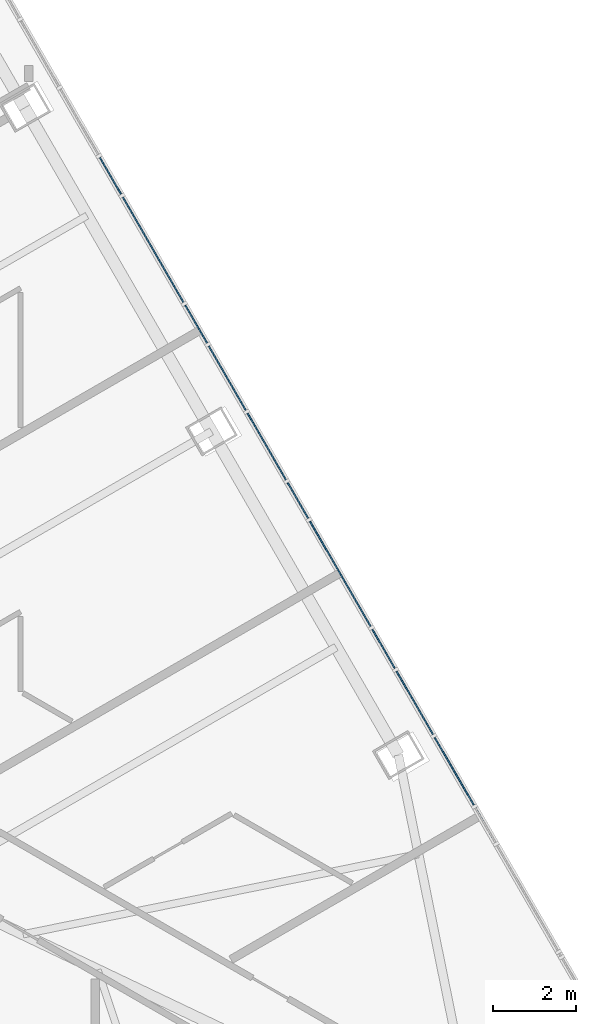
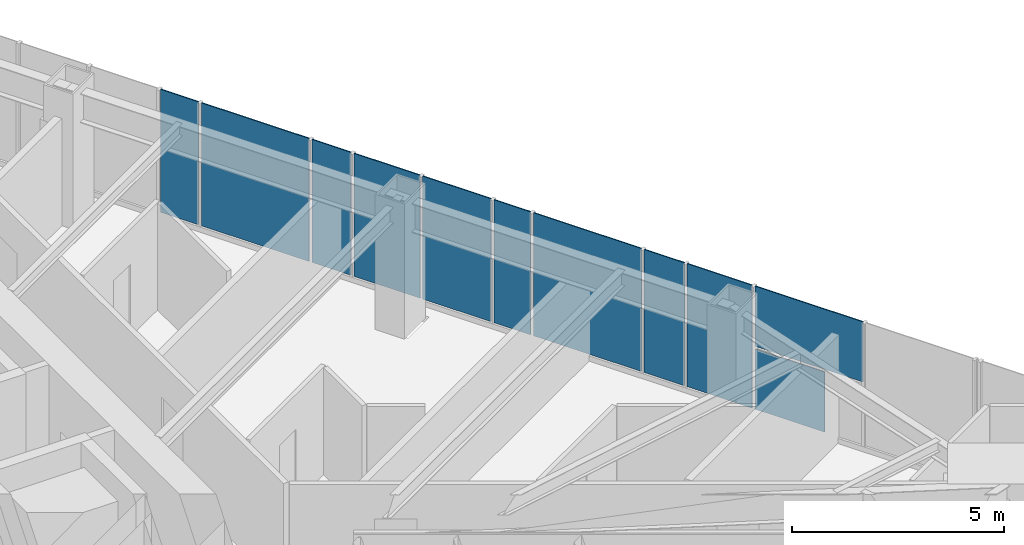
# One storey, part 21 of 35: 11 plates, 1 element without a shape of its own.
"""IFC4 building model written with IfcOpenShell, lengths in metres."""

from ifc_helpers import new_model, si_unit, direction, frame, origin, place, context, subcontext, project, spatial, polyline, outline, extrude, material, layer, layer_set, type_object, element, aggregate, save


model = new_model("IFC4")

# Units and contexts
model_context = context("Model", 3, precision=1e-05, world=origin(), true_north=direction((0.0, 1.0)))
body_context = subcontext(model_context, "Body", "Model", "MODEL_VIEW")
ifc_project = project(units=[si_unit("LENGTHUNIT", "METRE"), si_unit("AREAUNIT", "SQUARE_METRE"), si_unit("VOLUMEUNIT", "CUBIC_METRE"), si_unit("PLANEANGLEUNIT", "RADIAN"), si_unit("MASSUNIT", "GRAM", prefix="KILO")], contexts=[model_context])

# Site, building, storey
site_placement = place(None, origin())
site = spatial("IfcSite", under=ifc_project, at=site_placement, CompositionType="ELEMENT")
building_placement = place(site_placement, origin())
building = spatial("IfcBuilding", under=site, at=building_placement, Name="Firuza Gate Tower and Library", CompositionType="ELEMENT")
storey_placement = place(building_placement, frame((0.0, 0.0, 159.699951171875)))
storey = spatial("IfcBuildingStorey", under=building, at=storey_placement, Name="L36", CompositionType="ELEMENT", Elevation=159.699951171875)

# Curtain wall, plates
ifc_material_1 = material(Name="Aluminium 6063-T6", Category="aluminium")
ifc_layer_1 = layer(ifc_material_1, 0.14990234375)
ifc_layer_set_1 = layer_set([ifc_layer_1], Name="Unitised curtain wall, hotel")
curtain_wall_type = type_object("IfcCurtainWallType", Name="Unitised curtain wall, hotel", PredefinedType="NOTDEFINED", material=ifc_layer_set_1)
curtain_wall_placement = place(storey_placement, origin())
curtain_wall = element("IfcCurtainWall", 1, at=curtain_wall_placement, inside=storey, type_object=curtain_wall_type, Name="CW2 L36 E face", PredefinedType="NOTDEFINED")
ifc_material_2 = material(Name="Fritted glass", Category="glass")
ifc_layer_2 = layer(ifc_material_2, 0.030029296875)
ifc_layer_set_2 = layer_set([ifc_layer_2], Name="Fritted glass unit, hotel")
plate_type_1 = type_object("IfcPlateType", Name="Fritted glass unit, hotel", PredefinedType="CURTAIN_PANEL", material=ifc_layer_set_2)
plate_1_placement = place(storey_placement, frame((102.295166015625, 67.581298828125, 0.150146484375), z_axis=(0.866031159827, 0.499990030109, 0.0), x_axis=(-0.499990030109, 0.866031159827, 0.0)))
plate_1 = element("IfcPlate", 2, at=plate_1_placement, type_object=plate_type_1, Name="Glass unit", PredefinedType="CURTAIN_PANEL", context=body_context, shape_type="SweptSolid", body=[
    extrude(outline(polyline([(0.0, 0.0), (1.8955456092678369, 0.0), (1.8955456092678369, 1.7348632812500004), (0.0, 1.7348632812500004), (0.0, 0.0)])), origin(), (0.0, 0.0, -1.0), 0.030029296875),
])
plate_2_placement = place(storey_placement, frame((102.818603515625, 66.67431640625, 1.965087890625), z_axis=(0.866059869764, 0.499940298419, 0.0), x_axis=(-0.499940298419, 0.866059869764, 0.0)))
plate_2 = element("IfcPlate", 3, at=plate_2_placement, type_object=plate_type_1, Name="Glass unit", PredefinedType="CURTAIN_PANEL", context=body_context, shape_type="SweptSolid", body=[
    extrude(outline(polyline([(0.0, 0.0), (2.942734184264118, 0.0), (2.942734184264118, 1.73486328125), (0.0, 1.73486328125), (0.0, 0.0)])), origin(), (0.0, 0.0, -1.0), 0.030029296875),
])
plate_3_placement = place(storey_placement, frame((101.307373046875, 69.292236328125, 0.150146484375), z_axis=(0.866017810474, 0.500013151769, 0.0), x_axis=(-0.500013151769, 0.866017810474, 0.0)))
plate_3 = element("IfcPlate", 4, at=plate_3_placement, type_object=plate_type_1, Name="Glass unit", PredefinedType="CURTAIN_PANEL", context=body_context, shape_type="SweptSolid", body=[
    extrude(outline(polyline([(0.0, 0.0), (1.7689964378864484, 0.0), (1.7689964378864484, 3.5498046875), (0.0, 3.5498046875), (0.0, 0.0)])), origin(), (0.0, 0.0, -1.0), 0.030029296875),
])
plate_4_placement = place(storey_placement, frame((97.7451171875, 75.462158203125, 0.150146484375), z_axis=(0.866050356912, 0.499956777425, 0.0), x_axis=(-0.499956777425, 0.866050356912, 0.0)))
plate_4 = element("IfcPlate", 5, at=plate_4_placement, type_object=plate_type_1, Name="Glass unit", PredefinedType="CURTAIN_PANEL", context=body_context, shape_type="SweptSolid", body=[
    extrude(outline(polyline([(0.0, 0.0), (1.8639306590163827, 0.0), (1.8639306590163827, 3.5498046875), (0.0, 3.5498046875), (0.0, 0.0)])), origin(), (0.0, 0.0, -1.0), 0.030029296875),
])
plate_5_placement = place(storey_placement, frame((96.773193359375, 77.1455078125, 0.150146484375), z_axis=(0.866032067792, 0.499988457423, 0.0), x_axis=(-0.499988457423, 0.866032067792, 0.0)))
plate_5 = element("IfcPlate", 6, at=plate_5_placement, type_object=plate_type_1, Name="Glass unit", PredefinedType="CURTAIN_PANEL", context=body_context, shape_type="SweptSolid", body=[
    extrude(outline(polyline([(0.0, 0.0), (1.800822822272985, 0.0), (1.800822822272985, 3.5498046875), (0.0, 3.5498046875), (0.0, 0.0)])), origin(), (0.0, 0.0, -1.0), 0.030029296875),
])
ifc_material_3 = material(Name="Glazed ceramic tile")
ifc_layer_3 = layer(ifc_material_3, 0.030029296875)
ifc_layer_set_3 = layer_set([ifc_layer_3], Name="Opaque ceramic panel, hotel")
plate_type_2 = type_object("IfcPlateType", Name="Opaque ceramic panel, hotel", PredefinedType="CURTAIN_PANEL", material=ifc_layer_set_3)
plate_6_placement = place(storey_placement, frame((100.3828125, 70.8935546875, 0.150146484375), z_axis=(0.865981096212, 0.500076735116, 0.0), x_axis=(-0.500076735116, 0.865981096212, 0.0)))
plate_6 = element("IfcPlate", 7, at=plate_6_placement, type_object=plate_type_2, Name="Opaque ceramic panel", PredefinedType="CURTAIN_PANEL", context=body_context, shape_type="SweptSolid", body=[
    extrude(outline(polyline([(0.0, 0.0), (1.0935821676914947, 0.0), (1.0935821676914947, 3.5498046875), (0.0, 3.5498046875), (0.0, 0.0)])), origin(), (0.0, 0.0, -1.0), 0.030029296875),
])
plate_7_placement = place(storey_placement, frame((99.7958984375, 71.909912109375, 0.150146484375), z_axis=(0.866023947468, 0.500002522405, 0.0), x_axis=(-0.500002522405, 0.866023947468, 0.0)))
plate_7 = element("IfcPlate", 8, at=plate_7_placement, type_object=plate_type_2, Name="Opaque ceramic panel", PredefinedType="CURTAIN_PANEL", context=body_context, shape_type="SweptSolid", body=[
    extrude(outline(polyline([(0.0, 0.0), (2.942856247596896, 0.0), (2.942856247596896, 3.5498046875), (0.0, 3.5498046875), (0.0, 0.0)])), origin(), (0.0, 0.0, -1.0), 0.030029296875),
])
plate_8_placement = place(storey_placement, frame((98.284423828125, 74.52783203125, 0.150146484375), z_axis=(0.866083827272, 0.499898793895, 0.0), x_axis=(-0.499898793895, 0.866083827272, 0.0)))
plate_8 = element("IfcPlate", 9, at=plate_8_placement, type_object=plate_type_2, Name="Opaque ceramic panel", PredefinedType="CURTAIN_PANEL", context=body_context, shape_type="SweptSolid", body=[
    extrude(outline(polyline([(0.0, 0.0), (0.9987373128760737, 0.0), (0.9987373128760737, 3.549804687500001), (0.0, 3.549804687500001), (0.0, 0.0)])), origin(), (0.0, 0.0, -1.0), 0.030029296875),
])
plate_9_placement = place(storey_placement, frame((95.832763671875, 78.7744140625, 0.150146484375), z_axis=(0.866013304951, 0.500020955208, 0.0), x_axis=(-0.500020955208, 0.866013304951, 0.0)))
plate_9 = element("IfcPlate", 10, at=plate_9_placement, type_object=plate_type_2, Name="Opaque ceramic panel", PredefinedType="CURTAIN_PANEL", context=body_context, shape_type="SweptSolid", body=[
    extrude(outline(polyline([(0.0, 0.0), (1.0619672112620595, 0.0), (1.0619672112620595, 3.5498046875), (0.0, 3.5498046875), (0.0, 0.0)])), origin(), (0.0, 0.0, -1.0), 0.030029296875),
])
plate_10_placement = place(storey_placement, frame((95.26171875, 79.763427734375, 0.150146484375), z_axis=(0.866023947468, 0.500002522405, 0.0), x_axis=(-0.500002522405, 0.866023947468, 0.0)))
plate_10 = element("IfcPlate", 11, at=plate_10_placement, type_object=plate_type_2, Name="Opaque ceramic panel", PredefinedType="CURTAIN_PANEL", context=body_context, shape_type="SweptSolid", body=[
    extrude(outline(polyline([(0.0, 0.0), (2.942856247596896, 0.0), (2.942856247596896, 3.5498046875), (0.0, 3.5498046875), (0.0, 0.0)])), origin(), (0.0, 0.0, -1.0), 0.030029296875),
])
plate_11_placement = place(storey_placement, frame((93.750244140625, 82.38134765625, 0.150146484375), z_axis=(0.866047486323, 0.49996174997, 0.0), x_axis=(-0.49996174997, 0.866047486323, 0.0)))
plate_11 = element("IfcPlate", 12, at=plate_11_placement, type_object=plate_type_2, Name="Opaque ceramic panel", PredefinedType="CURTAIN_PANEL", context=body_context, shape_type="SweptSolid", body=[
    extrude(outline(polyline([(0.0, 0.0), (1.0303522595088923, 0.0), (1.0303522595088923, 3.5498046875), (0.0, 3.5498046875), (0.0, 0.0)])), origin(), (0.0, 0.0, -1.0), 0.030029296875),
])
aggregate(curtain_wall, [plate_1, plate_2, plate_3, plate_6, plate_7, plate_8, plate_4, plate_5, plate_9, plate_10, plate_11])

save(model, "model.ifc")
